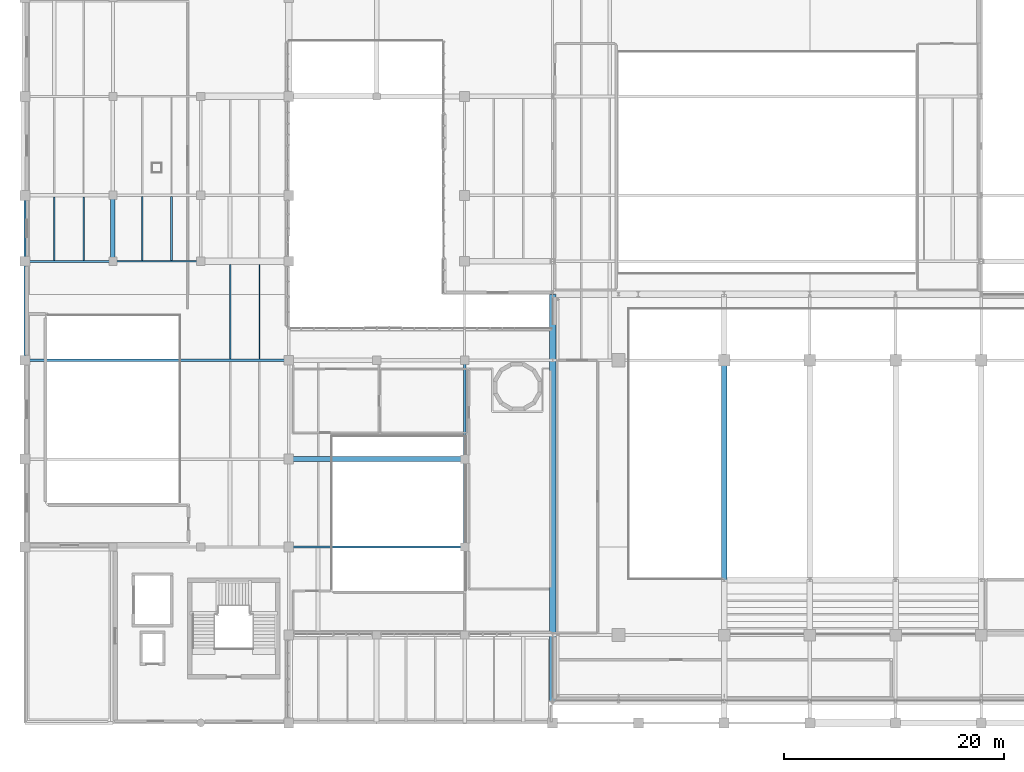
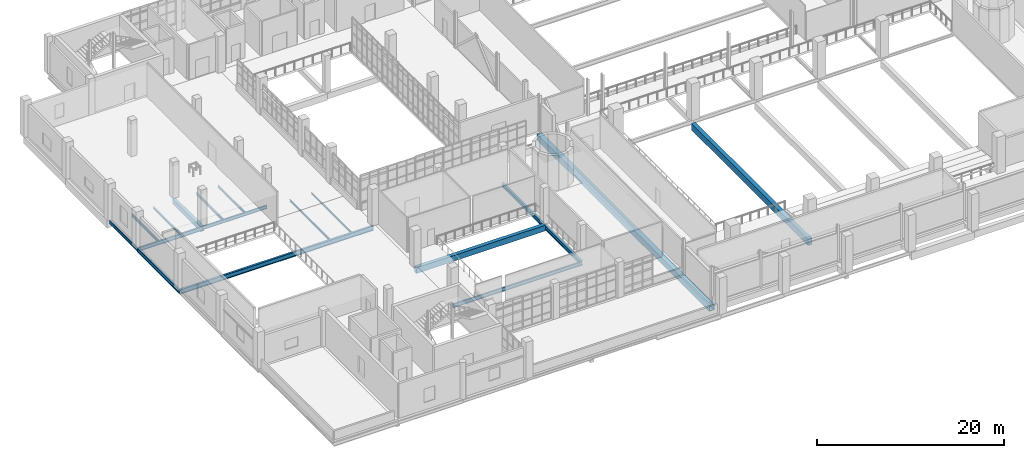
# One storey, part 20 of 102: 18 beams.
"""IFC4 building model written with IfcOpenShell, lengths in metres."""

import ifcopenshell
import ifcopenshell.guid

model = None  # the IFC model being written
_history = None  # IfcOwnerHistory: only IFC2X3 demands one
_inside = {}  # id of a spatial element -> (the spatial element, [elements in it])
_under = {}  # id of a project, library or spatial element -> (it, [spatial elements below it])
_declared = {}  # id of a project -> (the project, [libraries it declares])
_typed = {}  # id of a type object -> (the type object, [elements of that type])
_made_of = {}  # id of a material, layer set ... -> (it, [elements and type objects made of it])


def new_model(schema):
    """Start an empty IFC model of exactly this schema.

    Asked for "IFC4X3", IfcOpenShell would pick the latest addendum, in which some entities
    have other attributes; the version numbers below select the first issue.
    IFC2X3 requires an IfcOwnerHistory on every rooted entity: one is made here for all.
    """
    global model, _history
    if schema == "IFC4X3":
        model = ifcopenshell.file(schema_version=(4, 3, 0, 0))
    else:
        model = ifcopenshell.file(schema=schema)
    _inside.clear()
    _under.clear()
    _declared.clear()
    _typed.clear()
    _made_of.clear()
    _history = None
    if model.schema == "IFC2X3":
        org = make("IfcOrganization", Name="unknown")
        user = make(
            "IfcPersonAndOrganization",
            ThePerson=make("IfcPerson", FamilyName="unknown"),
            TheOrganization=org,
        )
        app = make(
            "IfcApplication",
            ApplicationDeveloper=org,
            Version="unknown",
            ApplicationFullName="unknown",
            ApplicationIdentifier="unknown",
        )
        _history = make(
            "IfcOwnerHistory",
            OwningUser=user,
            OwningApplication=app,
            ChangeAction="ADDED",
            CreationDate=0,
        )
    return model


def make(cls, **values):
    """One entity of the class cls with the attributes given. An attribute that is None is left unset."""
    return model.create_entity(
        cls, **{name: value for name, value in values.items() if value is not None}
    )


def rooted(cls, **values):
    """An entity with a GlobalId (a new one), such as an element, a storey or a relation."""
    return make(cls, GlobalId=ifcopenshell.guid.new(), OwnerHistory=_history, **values)


def si_unit(unit_type, name, prefix=None):
    """IfcSIUnit, for example si_unit("LENGTHUNIT", "METRE", prefix="MILLI")."""
    return make("IfcSIUnit", UnitType=unit_type, Prefix=prefix, Name=name)


def derived_unit(unit_type, elements):
    """IfcDerivedUnit: a product of units, each with its exponent."""
    return make(
        "IfcDerivedUnit",
        Elements=[
            make("IfcDerivedUnitElement", Unit=unit, Exponent=power)
            for unit, power in elements
        ],
        UnitType=unit_type,
    )


def assignment(units):
    """IfcUnitAssignment: the units of a project."""
    return None if units is None else make("IfcUnitAssignment", Units=units)


def point(xyz):
    """IfcCartesianPoint."""
    return None if xyz is None else make("IfcCartesianPoint", Coordinates=xyz)


def direction(xyz):
    """IfcDirection."""
    return None if xyz is None else make("IfcDirection", DirectionRatios=xyz)


def frame(location, z_axis=None, x_axis=None):
    """IfcAxis2Placement3D, a coordinate frame: its origin and axes. An axis left out is left unset."""
    return make(
        "IfcAxis2Placement3D",
        Location=point(location),
        Axis=direction(z_axis),
        RefDirection=direction(x_axis),
    )


def frame_2d(location, x_axis=None):
    """IfcAxis2Placement2D, a coordinate frame in the plane: its origin and x axis."""
    return make(
        "IfcAxis2Placement2D", Location=point(location), RefDirection=direction(x_axis)
    )


def origin():
    """The frame at (0, 0, 0) with its axes left unset."""
    return frame((0.0, 0.0, 0.0))


def origin_2d():
    """The frame at (0, 0) in the plane with its x axis left unset."""
    return frame_2d((0.0, 0.0))


def place(relative_to, where):
    """IfcLocalPlacement: puts the frame where relative to a parent placement (None: the world)."""
    return make(
        "IfcLocalPlacement", PlacementRelTo=relative_to, RelativePlacement=where
    )


def context(
    kind, dimensions, precision=None, world=None, true_north=None, identifier=None
):
    """IfcGeometricRepresentationContext, for example the 3D "Model" context."""
    return make(
        "IfcGeometricRepresentationContext",
        ContextIdentifier=identifier,
        ContextType=kind,
        CoordinateSpaceDimension=dimensions,
        Precision=precision,
        WorldCoordinateSystem=world,
        TrueNorth=true_north,
    )


def subcontext(parent, identifier, kind, view, scale=None):
    """IfcGeometricRepresentationSubContext, for example "Body" below "Model"."""
    return make(
        "IfcGeometricRepresentationSubContext",
        ContextIdentifier=identifier,
        ContextType=kind,
        ParentContext=parent,
        TargetScale=scale,
        TargetView=view,
    )


def project(units=None, contexts=None):
    """IfcProject with its units and contexts."""
    return rooted(
        "IfcProject",
        Name="project",
        RepresentationContexts=contexts,
        UnitsInContext=assignment(units),
    )


def spatial(cls, under=None, at=None, **own):
    """A site, building, storey or space (cls), placed at a placement, below another one or the project."""
    s = rooted(cls, ObjectPlacement=at, **own)
    if under is not None:
        _under.setdefault(under.id(), (under, []))[1].append(s)
    return s


def profile(cls, at=None, kind="AREA", **sizes):
    """A parametric profile (cls). Its sizes go by their IFC names, for example OverallWidth=200.0."""
    return make(cls, ProfileType=kind, Position=at, **sizes)


def rectangle(**sizes):
    """IfcRectangleProfileDef."""
    return profile("IfcRectangleProfileDef", **sizes)


def hollow_rectangle(**sizes):
    """IfcRectangleHollowProfileDef."""
    return profile("IfcRectangleHollowProfileDef", **sizes)


def i_section(**sizes):
    """IfcIShapeProfileDef."""
    return profile("IfcIShapeProfileDef", **sizes)


def extrude(swept, where, along, depth):
    """IfcExtrudedAreaSolid: the profile swept, set in the frame where, extruded along a direction by depth."""
    return make(
        "IfcExtrudedAreaSolid",
        SweptArea=swept,
        Position=where,
        ExtrudedDirection=direction(along),
        Depth=depth,
    )


def shape(context_of_items, identifier, shape_type, items):
    """IfcShapeRepresentation: the items that make up one representation, for example the "Body"."""
    return make(
        "IfcShapeRepresentation",
        ContextOfItems=context_of_items,
        RepresentationIdentifier=identifier,
        RepresentationType=shape_type,
        Items=items,
    )


def material(Name=None, Category=None):
    """IfcMaterial."""
    return make("IfcMaterial", Name=Name, Category=Category)


def material_profile(
    of_material, cross_section, Name=None, Category=None, Priority=None
):
    """IfcMaterialProfile: a cross section and its material."""
    return make(
        "IfcMaterialProfile",
        Name=Name,
        Material=of_material,
        Profile=cross_section,
        Priority=Priority,
        Category=Category,
    )


def profile_set(profiles, Name=None, composite=None):
    """IfcMaterialProfileSet."""
    return make(
        "IfcMaterialProfileSet",
        Name=Name,
        MaterialProfiles=profiles,
        CompositeProfile=composite,
    )


def made_of(thing, what):
    """Note that an element or type object is made of a material, layer set ...; save() writes the relation."""
    if what is not None:
        _made_of.setdefault(what.id(), (what, []))[1].append(thing)
    return thing


def type_object(cls, material=None, **own):
    """A type object (cls), such as IfcWallType, which elements share."""
    return made_of(rooted(cls, **own), material)


def element(
    cls,
    number,
    at=None,
    inside=None,
    cuts=None,
    type_object=None,
    material=None,
    context=None,
    identifier="Body",
    shape_type=None,
    held_by="IfcProductDefinitionShape",
    body=None,
    shapes=None,
    **own,
):
    """One element of the class cls, such as IfcWall. Its Tag is "e" and its number.

    at: its placement. inside: the storey or other place that contains it. cuts: it is an
    opening in that element (IfcRelVoidsElement). A single representation is given by context,
    identifier, shape_type and body (its items); several are given by shapes. held_by: the class
    of the entity that holds the representations. save() writes the other relations.
    """
    e = rooted(cls, Tag="e%d" % number, ObjectPlacement=at, **own)
    if body is not None:
        shapes = [shape(context, identifier, shape_type, body)]
    if shapes is not None:
        e.Representation = make(held_by, Representations=shapes)
    if inside is not None:
        _inside.setdefault(inside.id(), (inside, []))[1].append(e)
    if cuts is not None:
        rooted(
            "IfcRelVoidsElement", RelatingBuildingElement=cuts, RelatedOpeningElement=e
        )
    if type_object is not None:
        _typed.setdefault(type_object.id(), (type_object, []))[1].append(e)
    return made_of(e, material)


def aggregate(whole, parts):
    """IfcRelAggregates: a whole, such as a stair, and the parts it consists of."""
    return rooted("IfcRelAggregates", RelatingObject=whole, RelatedObjects=parts)


def save(model, path):
    """Write the relations noted so far, then the file.

    IfcRelAggregates (storeys below a building ...), IfcRelContainedInSpatialStructure (elements
    in a storey), IfcRelDefinesByType, IfcRelAssociatesMaterial and IfcRelDeclares: one each for
    every whole, place, type object, material and project.
    """
    for whole, parts in _under.values():
        aggregate(whole, parts)
    for where, things in _inside.values():
        rooted(
            "IfcRelContainedInSpatialStructure",
            RelatedElements=things,
            RelatingStructure=where,
        )
    for kind, things in _typed.values():
        rooted("IfcRelDefinesByType", RelatedObjects=things, RelatingType=kind)
    for what, things in _made_of.values():
        rooted("IfcRelAssociatesMaterial", RelatedObjects=things, RelatingMaterial=what)
    for by, libraries in _declared.values():
        rooted("IfcRelDeclares", RelatingContext=by, RelatedDefinitions=libraries)
    model.write(path)


model = new_model("IFC4")

# Units and contexts
model_context = context("Model", 3, precision=1e-05, world=origin(), true_north=direction((0.0, 1.0)))
body_context = subcontext(model_context, "Body", "Model", "MODEL_VIEW")
ifc_project = project(units=[si_unit("LENGTHUNIT", "METRE"), si_unit("AREAUNIT", "SQUARE_METRE"), si_unit("VOLUMEUNIT", "CUBIC_METRE"), si_unit("PLANEANGLEUNIT", "RADIAN"), si_unit("MASSUNIT", "GRAM", prefix="KILO"), derived_unit("THERMALTRANSMITTANCEUNIT", [(si_unit("POWERUNIT", "WATT"), 1), (si_unit("LENGTHUNIT", "METRE"), -2), (si_unit("THERMODYNAMICTEMPERATUREUNIT", "KELVIN"), -1)])], contexts=[model_context])

# Site, building, storey
site_placement = place(None, origin())
site = spatial("IfcSite", under=ifc_project, at=site_placement, CompositionType="ELEMENT")
building_placement = place(site_placement, origin())
building = spatial("IfcBuilding", under=site, at=building_placement, Name="Nallur Shell Playhouse", CompositionType="ELEMENT")
storey_placement = place(building_placement, frame((0.0, 0.0, 15.0)))
storey = spatial("IfcBuildingStorey", under=building, at=storey_placement, Name="L04", CompositionType="ELEMENT", Elevation=15.0)

# Beams
ifc_material_1 = material(Name="Steel E250", Category="steel")
ifc_material_profile_1 = material_profile(ifc_material_1, i_section(OverallWidth=0.110107421875, OverallDepth=0.22509765625, WebThickness=0.006591796875, FlangeThickness=0.01171875, FilletRadius=0.011962890625, at=origin_2d()), Name="ISMB 225")
ifc_profile_set_1 = profile_set([ifc_material_profile_1], Name="Steel E250")
beam_type_1 = type_object("IfcBeamType", Name="BM-JST-ISMB225", PredefinedType="JOIST", material=ifc_profile_set_1)
beam_1_placement = place(storey_placement, frame((37.333251953125, 41.123046875, -0.37255859375), z_axis=(0.0, 1.0, 0.0), x_axis=(-1.0, 0.0, 0.0)))
element("IfcBeam", 1, at=beam_1_placement, inside=storey, type_object=beam_type_1, Name="L04 secondary joist 4-E-893", PredefinedType="JOIST", context=body_context, shape_type="SweptSolid", body=[
    extrude(i_section(OverallWidth=0.110107421875, OverallDepth=0.22509765625, WebThickness=0.006591796875, FlangeThickness=0.01171875, FilletRadius=0.011962890625, at=origin_2d()), origin(), (0.0, 0.0, 1.0), 8.578857421875),
])
ifc_material_profile_2 = material_profile(ifc_material_1, i_section(OverallWidth=0.125, OverallDepth=0.25, WebThickness=0.0068359375, FlangeThickness=0.012451171875, FilletRadius=0.012939453125, at=origin_2d()), Name="ISMB 250")
ifc_profile_set_2 = profile_set([ifc_material_profile_2], Name="Steel E250")
beam_type_2 = type_object("IfcBeamType", Name="BM-JST-ISMB250", PredefinedType="JOIST", material=ifc_profile_set_2)
beam_2_placement = place(storey_placement, frame((34.666748046875, 41.123046875, -0.385009765625), z_axis=(0.0, 1.0, 0.0), x_axis=(-1.0, 0.0, 0.0)))
element("IfcBeam", 2, at=beam_2_placement, inside=storey, type_object=beam_type_2, Name="L04 secondary joist 4-E-892", PredefinedType="JOIST", context=body_context, shape_type="SweptSolid", body=[
    extrude(i_section(OverallWidth=0.125, OverallDepth=0.25, WebThickness=0.0068359375, FlangeThickness=0.012451171875, FilletRadius=0.012939453125, at=origin_2d()), origin(), (0.0, 0.0, 1.0), 8.578857421875),
])
ifc_material_profile_3 = material_profile(ifc_material_1, i_section(OverallWidth=0.139892578125, OverallDepth=0.300048828125, WebThickness=0.0078125, FlangeThickness=0.01318359375, FilletRadius=0.013916015625, at=origin_2d()), Name="ISMB 300")
ifc_profile_set_3 = profile_set([ifc_material_profile_3], Name="Steel E250")
beam_type_3 = type_object("IfcBeamType", Name="BM-JST-ISMB300", PredefinedType="JOIST", material=ifc_profile_set_3)
beam_3_placement = place(storey_placement, frame((21.333251953125, 50.087890625, -0.409912109375), z_axis=(0.0, 1.0, 0.0), x_axis=(-1.0, 0.0, 0.0)))
element("IfcBeam", 3, at=beam_3_placement, inside=storey, type_object=beam_type_3, Name="L04 secondary joist 2-F-879", PredefinedType="JOIST", context=body_context, shape_type="SweptSolid", body=[
    extrude(i_section(OverallWidth=0.139892578125, OverallDepth=0.300048828125, WebThickness=0.0078125, FlangeThickness=0.01318359375, FilletRadius=0.013916015625, at=origin_2d()), origin(), (0.0, 0.0, 1.0), 5.76416015625),
])
beam_4_placement = place(storey_placement, frame((29.333251953125, 50.072998046875, -0.409912109375), z_axis=(0.0, 1.0, 0.0), x_axis=(-1.0, 0.0, 0.0)))
element("IfcBeam", 4, at=beam_4_placement, inside=storey, type_object=beam_type_3, Name="L04 secondary joist 3-F-885", PredefinedType="JOIST", context=body_context, shape_type="SweptSolid", body=[
    extrude(i_section(OverallWidth=0.139892578125, OverallDepth=0.300048828125, WebThickness=0.0078125, FlangeThickness=0.01318359375, FilletRadius=0.013916015625, at=origin_2d()), origin(), (0.0, 0.0, 1.0), 5.803955078125),
])
ifc_material_profile_4 = material_profile(ifc_material_1, i_section(OverallWidth=0.139892578125, OverallDepth=0.35009765625, WebThickness=0.008056640625, FlangeThickness=0.01416015625, FilletRadius=0.013916015625, at=origin_2d()), Name="ISMB 350")
ifc_profile_set_4 = profile_set([ifc_material_profile_4], Name="Steel E250")
beam_type_4 = type_object("IfcBeamType", Name="BM-JST-ISMB350", PredefinedType="JOIST", material=ifc_profile_set_4)
beam_5_placement = place(storey_placement, frame((18.666748046875, 50.087890625, -0.43505859375), z_axis=(0.0, 1.0, 0.0), x_axis=(-1.0, 0.0, 0.0)))
element("IfcBeam", 5, at=beam_5_placement, inside=storey, type_object=beam_type_4, Name="L04 secondary joist 2-F-878", PredefinedType="JOIST", context=body_context, shape_type="SweptSolid", body=[
    extrude(i_section(OverallWidth=0.139892578125, OverallDepth=0.35009765625, WebThickness=0.008056640625, FlangeThickness=0.01416015625, FilletRadius=0.013916015625, at=origin_2d()), origin(), (0.0, 0.0, 1.0), 5.76416015625),
])
beam_6_placement = place(storey_placement, frame((26.666748046875, 50.072998046875, -0.43505859375), z_axis=(0.0, 1.0, 0.0), x_axis=(-1.0, 0.0, 0.0)))
element("IfcBeam", 6, at=beam_6_placement, inside=storey, type_object=beam_type_4, Name="L04 secondary joist 3-F-884", PredefinedType="JOIST", context=body_context, shape_type="SweptSolid", body=[
    extrude(i_section(OverallWidth=0.139892578125, OverallDepth=0.35009765625, WebThickness=0.008056640625, FlangeThickness=0.01416015625, FilletRadius=0.013916015625, at=origin_2d()), origin(), (0.0, 0.0, 1.0), 5.803955078125),
])
ifc_material_2 = material(Name="Concrete M35", Category="concrete")
ifc_material_profile_5 = material_profile(ifc_material_2, rectangle(XDim=0.39990234375, YDim=0.64990234375, at=origin_2d()), Name="RC 400x650")
ifc_profile_set_5 = profile_set([ifc_material_profile_5], Name="Concrete M35")
beam_type_5 = type_object("IfcBeamType", Name="BM-RC-400x650", PredefinedType="BEAM", material=ifc_profile_set_5)
beam_7_placement = place(storey_placement, frame((24.0, 50.0, -0.5849609375), z_axis=(0.0, 1.0, 0.0), x_axis=(-1.0, 0.0, 0.0)))
element("IfcBeam", 7, at=beam_7_placement, inside=storey, type_object=beam_type_5, Name="L04 girder Y-3-815", PredefinedType="BEAM", context=body_context, shape_type="SweptSolid", body=[
    extrude(rectangle(XDim=0.39990234375, YDim=0.64990234375, at=origin_2d()), origin(), (0.0, 0.0, 1.0), 6.0),
])
ifc_material_profile_6 = material_profile(ifc_material_2, rectangle(XDim=0.449951171875, YDim=0.75, at=origin_2d()), Name="RC 450x750")
ifc_profile_set_6 = profile_set([ifc_material_profile_6], Name="Concrete M35")
beam_type_6 = type_object("IfcBeamType", Name="BM-RC-450x750", PredefinedType="BEAM", material=ifc_profile_set_6)
beam_8_placement = place(storey_placement, frame((40.0, 32.0, -0.635009765625), z_axis=(1.0, 0.0, 0.0), x_axis=(0.0, 1.0, 0.0)))
element("IfcBeam", 8, at=beam_8_placement, inside=storey, type_object=beam_type_6, Name="L04 girder X-D-766", PredefinedType="BEAM", context=body_context, shape_type="SweptSolid", body=[
    extrude(rectangle(XDim=0.449951171875, YDim=0.75, at=origin_2d()), origin(), (0.0, 0.0, 1.0), 16.0),
])
ifc_material_3 = material(Name="Concrete M40", Category="concrete")
ifc_material_profile_7 = material_profile(ifc_material_3, rectangle(XDim=0.5, YDim=0.85009765625, at=origin_2d()), Name="RC 500x850")
ifc_profile_set_7 = profile_set([ifc_material_profile_7], Name="Concrete M40")
beam_type_7 = type_object("IfcBeamType", Name="BM-RC-500x850", PredefinedType="BEAM", material=ifc_profile_set_7)
beam_9_placement = place(storey_placement, frame((79.60009765625, 16.0, -1.139892578125), z_axis=(0.0, 1.0, 0.0), x_axis=(-1.0, 0.0, 0.0)))
element("IfcBeam", 9, at=beam_9_placement, inside=storey, type_object=beam_type_7, Name="Auditorium balcony carrier girder UPPER X=79.6", PredefinedType="BEAM", context=body_context, shape_type="SweptSolid", body=[
    extrude(rectangle(XDim=0.5, YDim=0.85009765625, at=origin_2d()), origin(), (0.0, 0.0, 1.0), 25.0),
])
ifc_material_4 = material(Name="Steel E350", Category="steel")
ifc_material_profile_8 = material_profile(ifc_material_4, i_section(OverallWidth=0.14990234375, OverallDepth=0.449951171875, WebThickness=0.009521484375, FlangeThickness=0.017333984375, FilletRadius=0.014892578125, at=origin_2d()), Name="ISMB 450")
ifc_profile_set_8 = profile_set([ifc_material_profile_8], Name="Steel E350")
beam_type_8 = type_object("IfcBeamType", Name="BM-ST-ISMB450", PredefinedType="BEAM", material=ifc_profile_set_8)
beam_10_placement = place(storey_placement, frame((24.0, 50.0, -0.485107421875), z_axis=(1.0, 0.0, 0.0), x_axis=(0.0, 1.0, 0.0)))
element("IfcBeam", 10, at=beam_10_placement, inside=storey, type_object=beam_type_8, Name="L04 girder X-F-779", PredefinedType="BEAM", context=body_context, shape_type="SweptSolid", body=[
    extrude(i_section(OverallWidth=0.14990234375, OverallDepth=0.449951171875, WebThickness=0.009521484375, FlangeThickness=0.017333984375, FilletRadius=0.014892578125, at=origin_2d()), origin(), (0.0, 0.0, 1.0), 8.0),
])
beam_11_placement = place(storey_placement, frame((16.0, 50.0, -0.485107421875), z_axis=(0.0, 1.0, 0.0), x_axis=(-1.0, 0.0, 0.0)))
element("IfcBeam", 11, at=beam_11_placement, inside=storey, type_object=beam_type_8, Name="L04 girder Y-2-811", PredefinedType="BEAM", context=body_context, shape_type="SweptSolid", body=[
    extrude(i_section(OverallWidth=0.14990234375, OverallDepth=0.449951171875, WebThickness=0.009521484375, FlangeThickness=0.017333984375, FilletRadius=0.014892578125, at=origin_2d()), origin(), (0.0, 0.0, 1.0), 6.0),
])
ifc_material_profile_9 = material_profile(ifc_material_4, i_section(OverallWidth=0.179931640625, OverallDepth=0.5, WebThickness=0.01025390625, FlangeThickness=0.01708984375, FilletRadius=0.01708984375, at=origin_2d()), Name="ISMB 500")
ifc_profile_set_9 = profile_set([ifc_material_profile_9], Name="Steel E350")
beam_type_9 = type_object("IfcBeamType", Name="BM-ST-ISMB500", PredefinedType="BEAM", material=ifc_profile_set_9)
beam_12_placement = place(storey_placement, frame((40.0, 24.0, -0.510009765625), z_axis=(1.0, 0.0, 0.0), x_axis=(0.0, 1.0, 0.0)))
element("IfcBeam", 12, at=beam_12_placement, inside=storey, type_object=beam_type_9, Name="L04 girder X-C-762", PredefinedType="BEAM", context=body_context, shape_type="SweptSolid", body=[
    extrude(i_section(OverallWidth=0.179931640625, OverallDepth=0.5, WebThickness=0.01025390625, FlangeThickness=0.01708984375, FilletRadius=0.01708984375, at=origin_2d()), origin(), (0.0, 0.0, 1.0), 16.0),
])
beam_13_placement = place(storey_placement, frame((16.0, 50.0, -0.510009765625), z_axis=(1.0, 0.0, 0.0), x_axis=(0.0, 1.0, 0.0)))
element("IfcBeam", 13, at=beam_13_placement, inside=storey, type_object=beam_type_9, Name="L04 girder X-F-778", PredefinedType="BEAM", context=body_context, shape_type="SweptSolid", body=[
    extrude(i_section(OverallWidth=0.179931640625, OverallDepth=0.5, WebThickness=0.01025390625, FlangeThickness=0.01708984375, FilletRadius=0.01708984375, at=origin_2d()), origin(), (0.0, 0.0, 1.0), 8.0),
])
beam_14_placement = place(storey_placement, frame((16.0, 41.0, -0.510009765625), z_axis=(0.0, 1.0, 0.0), x_axis=(-1.0, 0.0, 0.0)))
element("IfcBeam", 14, at=beam_14_placement, inside=storey, type_object=beam_type_9, Name="L04 girder Y-2-810", PredefinedType="BEAM", context=body_context, shape_type="SweptSolid", body=[
    extrude(i_section(OverallWidth=0.179931640625, OverallDepth=0.5, WebThickness=0.01025390625, FlangeThickness=0.01708984375, FilletRadius=0.01708984375, at=origin_2d()), origin(), (0.0, 0.0, 1.0), 9.0),
])
ifc_material_profile_10 = material_profile(ifc_material_4, i_section(OverallWidth=0.25, OverallDepth=0.5, WebThickness=0.010009765625, FlangeThickness=0.0146484375, FilletRadius=0.014892578125, at=origin_2d()), Name="ISWB 500")
ifc_profile_set_10 = profile_set([ifc_material_profile_10], Name="Steel E350")
beam_type_10 = type_object("IfcBeamType", Name="BM-ST-ISWB500", PredefinedType="BEAM", material=ifc_profile_set_10)
beam_15_placement = place(storey_placement, frame((56.0, 32.0, -0.510009765625), z_axis=(0.0, 1.0, 0.0), x_axis=(-1.0, 0.0, 0.0)))
element("IfcBeam", 15, at=beam_15_placement, inside=storey, type_object=beam_type_10, Name="L04 girder Y-7-835", PredefinedType="BEAM", context=body_context, shape_type="SweptSolid", body=[
    extrude(i_section(OverallWidth=0.25, OverallDepth=0.5, WebThickness=0.010009765625, FlangeThickness=0.0146484375, FilletRadius=0.014892578125, at=origin_2d()), origin(), (0.0, 0.0, 1.0), 9.0),
])
ifc_material_profile_11 = material_profile(ifc_material_4, i_section(OverallWidth=0.25, OverallDepth=0.550048828125, WebThickness=0.010498046875, FlangeThickness=0.017578125, FilletRadius=0.01611328125, at=origin_2d()), Name="ISWB 550")
ifc_profile_set_11 = profile_set([ifc_material_profile_11], Name="Steel E350")
beam_type_11 = type_object("IfcBeamType", Name="BM-ST-ISWB550", PredefinedType="BEAM", material=ifc_profile_set_11)
beam_16_placement = place(storey_placement, frame((56.0, 24.0, -0.534912109375), z_axis=(0.0, 1.0, 0.0), x_axis=(-1.0, 0.0, 0.0)))
element("IfcBeam", 16, at=beam_16_placement, inside=storey, type_object=beam_type_11, Name="L04 girder Y-7-834", PredefinedType="BEAM", context=body_context, shape_type="SweptSolid", body=[
    extrude(i_section(OverallWidth=0.25, OverallDepth=0.550048828125, WebThickness=0.010498046875, FlangeThickness=0.017578125, FilletRadius=0.01611328125, at=origin_2d()), origin(), (0.0, 0.0, 1.0), 8.0),
])
ifc_material_profile_12 = material_profile(ifc_material_4, i_section(OverallWidth=0.25, OverallDepth=0.60009765625, WebThickness=0.01171875, FlangeThickness=0.023681640625, FilletRadius=0.01708984375, at=origin_2d()), Name="ISWB 600")
ifc_profile_set_12 = profile_set([ifc_material_profile_12], Name="Steel E350")
beam_type_12 = type_object("IfcBeamType", Name="BM-ST-ISWB600", PredefinedType="BEAM", material=ifc_profile_set_12)
beam_17_placement = place(storey_placement, frame((16.0, 41.0, -0.56005859375), z_axis=(1.0, 0.0, 0.0), x_axis=(0.0, 1.0, 0.0)))
element("IfcBeam", 17, at=beam_17_placement, inside=storey, type_object=beam_type_12, Name="L04 long-span hall girder Y=41.0-874", PredefinedType="BEAM", context=body_context, shape_type="SweptSolid", body=[
    extrude(i_section(OverallWidth=0.25, OverallDepth=0.60009765625, WebThickness=0.01171875, FlangeThickness=0.023681640625, FilletRadius=0.01708984375, at=origin_2d()), origin(), (0.0, 0.0, 1.0), 24.0),
])
ifc_material_profile_13 = material_profile(ifc_material_4, hollow_rectangle(XDim=0.60009765625, YDim=0.800048828125, WallThickness=0.02490234375, at=origin_2d()), Name="BOX 600x800x25")
ifc_profile_set_13 = profile_set([ifc_material_profile_13], Name="Steel E350")
beam_type_13 = type_object("IfcBeamType", Name="BM-TT-CHORD", PredefinedType="BEAM", material=ifc_profile_set_13)
beam_18_placement = place(storey_placement, frame((64.0, 10.0, -0.659912109375), z_axis=(0.0, 1.0, 0.0), x_axis=(-1.0, 0.0, 0.0)))
element("IfcBeam", 18, at=beam_18_placement, inside=storey, type_object=beam_type_13, Name="Gold box perimeter chord L04-W1", PredefinedType="BEAM", context=body_context, shape_type="SweptSolid", body=[
    extrude(hollow_rectangle(XDim=0.60009765625, YDim=0.800048828125, WallThickness=0.02490234375, at=origin_2d()), origin(), (0.0, 0.0, 1.0), 37.0),
])

save(model, "model.ifc")
